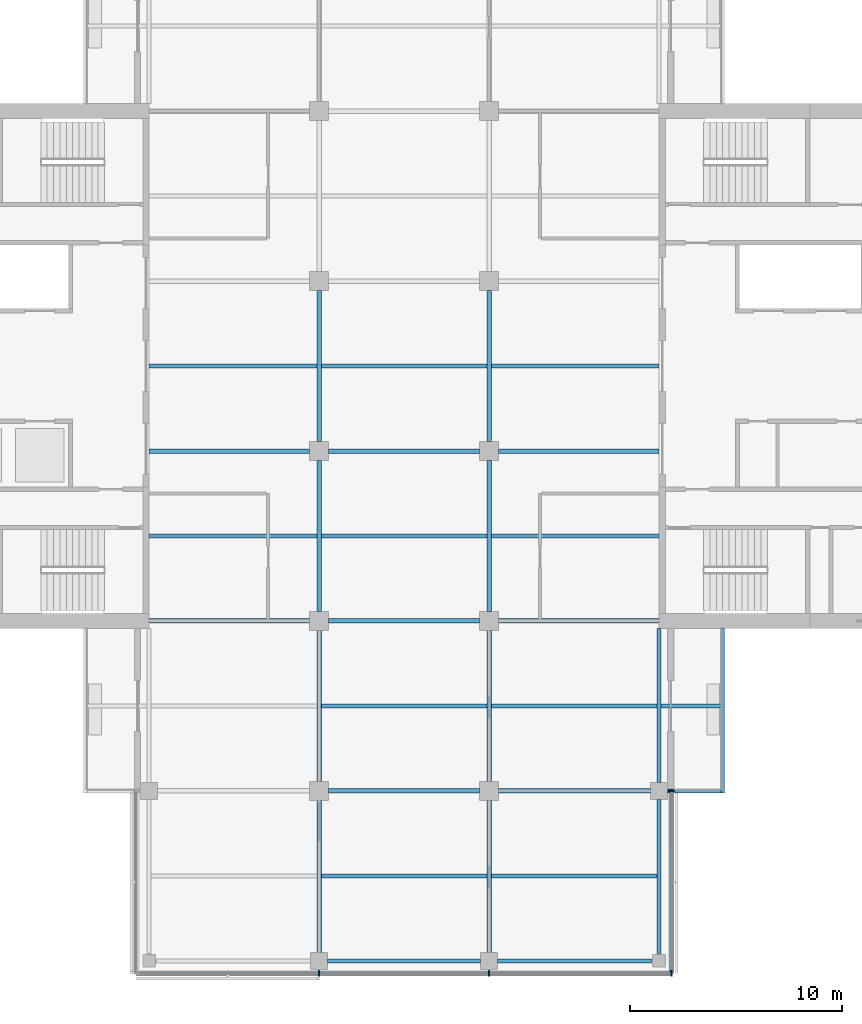
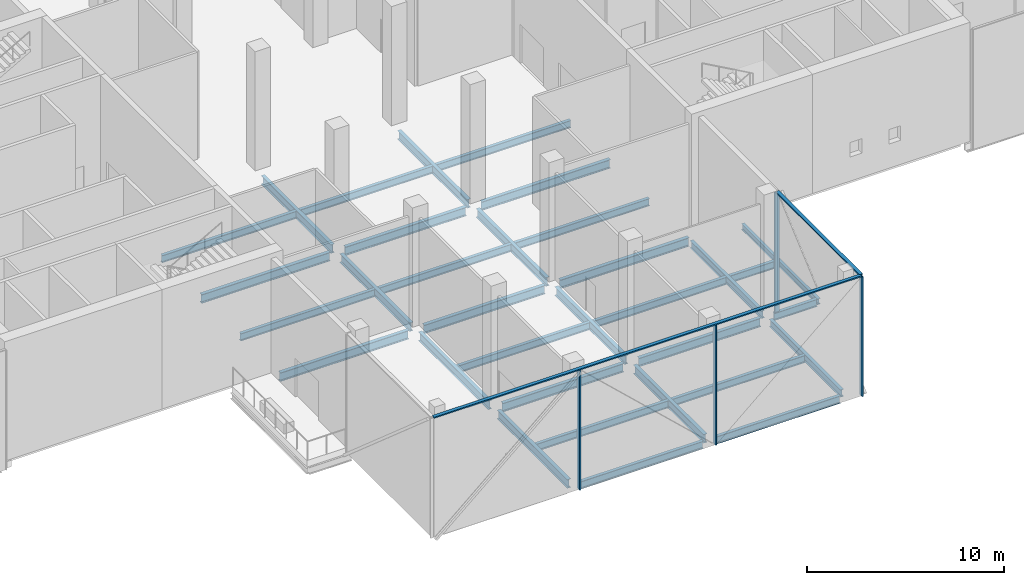
# One storey, part 4 of 20: 33 beams, 6 members, 2 elements without a shape of their own.
"""IFC4 building model written with IfcOpenShell, lengths in metres."""

from ifc_helpers import new_model, si_unit, direction, frame, origin, origin_2d, place, context, subcontext, project, spatial, rectangle, i_section, extrude, material, material_profile, profile_set, type_object, element, aggregate, save


model = new_model("IFC4")

# Units and contexts
model_context = context("Model", 3, precision=1e-05, world=origin(), true_north=direction((0.0, 1.0)))
body_context = subcontext(model_context, "Body", "Model", "MODEL_VIEW")
ifc_project = project(units=[si_unit("LENGTHUNIT", "METRE"), si_unit("AREAUNIT", "SQUARE_METRE"), si_unit("VOLUMEUNIT", "CUBIC_METRE"), si_unit("PLANEANGLEUNIT", "RADIAN"), si_unit("MASSUNIT", "GRAM", prefix="KILO")], contexts=[model_context])

# Site, building, storey
site_placement = place(None, origin())
site = spatial("IfcSite", under=ifc_project, at=site_placement, CompositionType="ELEMENT")
building_placement = place(site_placement, origin())
building = spatial("IfcBuilding", under=site, at=building_placement, Name="Crosswind Convention Tower", CompositionType="ELEMENT")
storey_placement = place(building_placement, frame((0.0, 0.0, 171.5)))
storey = spatial("IfcBuildingStorey", under=building, at=storey_placement, Name="L36", CompositionType="ELEMENT", Elevation=171.5)

# Beams
ifc_material_1 = material(Name="Steel S355", Category="steel")
ifc_material_profile_1 = material_profile(ifc_material_1, i_section(OverallWidth=0.18994140625, OverallDepth=0.45361328125, WebThickness=0.008544921875, FlangeThickness=0.0126953125, FilletRadius=0.01025390625, at=origin_2d()), Name="UB 457x191x67")
ifc_profile_set_1 = profile_set([ifc_material_profile_1], Name="Steel S355")
beam_type_1 = type_object("IfcBeamType", Name="Balcony cantilever UB 457x191x67", PredefinedType="BEAM", material=ifc_profile_set_1)
beam_1_placement = place(storey_placement, frame((137.095703125, 84.0, -0.626708984375), z_axis=(1.0, 0.0, 0.0), x_axis=(0.0, 1.0, 0.0)))
element("IfcBeam", 1, at=beam_1_placement, inside=storey, type_object=beam_type_1, Name="B36 L36 balcony cantilever SE 10", PredefinedType="BEAM", context=body_context, shape_type="SweptSolid", body=[
    extrude(i_section(OverallWidth=0.18994140625, OverallDepth=0.45361328125, WebThickness=0.008544921875, FlangeThickness=0.0126953125, FilletRadius=0.01025390625, at=origin_2d()), origin(), (0.0, 0.0, 1.0), 2.818603515625),
])
beam_2_placement = place(storey_placement, frame((137.39990234375, 80.0, -0.626708984375), z_axis=(1.0, 0.0, 0.0), x_axis=(0.0, 1.0, 0.0)))
element("IfcBeam", 2, at=beam_2_placement, inside=storey, type_object=beam_type_1, Name="B36 L36 balcony cantilever SE 11", PredefinedType="BEAM", context=body_context, shape_type="SweptSolid", body=[
    extrude(i_section(OverallWidth=0.18994140625, OverallDepth=0.45361328125, WebThickness=0.008544921875, FlangeThickness=0.0126953125, FilletRadius=0.01025390625, at=origin_2d()), origin(), (0.0, 0.0, 1.0), 2.514404296875),
])
ifc_material_profile_2 = material_profile(ifc_material_1, i_section(OverallWidth=0.17138671875, OverallDepth=0.355712890625, WebThickness=0.00732421875, FlangeThickness=0.011474609375, FilletRadius=0.01025390625, at=origin_2d()), Name="UB 356x171x51")
ifc_profile_set_2 = profile_set([ifc_material_profile_2], Name="Steel S355")
beam_type_2 = type_object("IfcBeamType", Name="Balcony edge beam UB 356x171x51", PredefinedType="BEAM", material=ifc_profile_set_2)
beam_3_placement = place(storey_placement, frame((140.0, 87.64990234375, -0.577880859375), z_axis=(0.0, -1.0, 0.0), x_axis=(1.0, 0.0, 0.0)))
element("IfcBeam", 3, at=beam_3_placement, inside=storey, type_object=beam_type_2, Name="B38 L36 balcony edge beam SE 12", PredefinedType="BEAM", context=body_context, shape_type="SweptSolid", body=[
    extrude(i_section(OverallWidth=0.17138671875, OverallDepth=0.355712890625, WebThickness=0.00732421875, FlangeThickness=0.011474609375, FilletRadius=0.01025390625, at=origin_2d()), origin(), (0.0, 0.0, 1.0), 7.744873046875),
])
ifc_material_profile_3 = material_profile(ifc_material_1, i_section(OverallWidth=0.19140625, OverallDepth=0.460205078125, WebThickness=0.010009765625, FlangeThickness=0.01611328125, FilletRadius=0.01025390625, at=origin_2d()), Name="UB 457x191x82")
ifc_profile_set_3 = profile_set([ifc_material_profile_3], Name="Steel S355")
beam_type_3 = type_object("IfcBeamType", Name="Edge beam UB 457x191x82", PredefinedType="SPANDREL", material=ifc_profile_set_3)
beam_4_placement = place(storey_placement, frame((121.39990234375, 72.0, -0.630126953125), z_axis=(1.0, 0.0, 0.0), x_axis=(0.0, 1.0, 0.0)))
element("IfcBeam", 4, at=beam_4_placement, inside=storey, type_object=beam_type_3, Name="B18 L36 edge beam 12", PredefinedType="SPANDREL", context=body_context, shape_type="SweptSolid", body=[
    extrude(i_section(OverallWidth=0.19140625, OverallDepth=0.460205078125, WebThickness=0.010009765625, FlangeThickness=0.01611328125, FilletRadius=0.01025390625, at=origin_2d()), origin(), (0.0, 0.0, 1.0), 7.2001953125),
])
for number, where, z_axis, x_axis, name in (
    (5, (129.39990234375, 72.0, -0.630126953125), (1.0, 0.0, 0.0), (0.0, 1.0, 0.0), "B18 L36 edge beam 14"),
    (6, (137.0, 72.35009765625, -0.630126953125), (0.0, 1.0, 0.0), (-1.0, 0.0, 0.0), "B18 L36 edge beam 16"),
    (7, (137.0, 80.39990234375, -0.630126953125), (0.0, 1.0, 0.0), (-1.0, 0.0, 0.0), "B18 L36 edge beam 17"),
):
    element("IfcBeam", number, at=place(storey_placement, frame(where, z_axis=z_axis, x_axis=x_axis)), inside=storey, type_object=beam_type_3, Name=name, PredefinedType="SPANDREL", context=body_context, shape_type="SweptSolid", body=[
        extrude(i_section(OverallWidth=0.19140625, OverallDepth=0.460205078125, WebThickness=0.010009765625, FlangeThickness=0.01611328125, FilletRadius=0.01025390625, at=origin_2d()), origin(), (0.0, 0.0, 1.0), 7.25),
    ])
ifc_material_profile_4 = material_profile(ifc_material_1, i_section(OverallWidth=0.210205078125, OverallDepth=0.53662109375, WebThickness=0.010986328125, FlangeThickness=0.017333984375, FilletRadius=0.0126953125, at=origin_2d()), Name="UB 533x210x101")
ifc_profile_set_4 = profile_set([ifc_material_profile_4], Name="Steel S355")
beam_type_4 = type_object("IfcBeamType", Name="Girder UB 533x210x101", PredefinedType="BEAM", material=ifc_profile_set_4)
beam_5_placement = place(storey_placement, frame((121.0, 72.39990234375, -0.66845703125), z_axis=(0.0, 1.0, 0.0), x_axis=(-1.0, 0.0, 0.0)))
element("IfcBeam", 8, at=beam_5_placement, inside=storey, type_object=beam_type_4, Name="B4 L36 girder 3", PredefinedType="BEAM", context=body_context, shape_type="SweptSolid", body=[
    extrude(i_section(OverallWidth=0.210205078125, OverallDepth=0.53662109375, WebThickness=0.010986328125, FlangeThickness=0.017333984375, FilletRadius=0.0126953125, at=origin_2d()), origin(), (0.0, 0.0, 1.0), 7.150146484375),
])
for number, where, z_axis, x_axis, name in (
    (9, (121.0, 80.449951171875, -0.66845703125), (0.0, 1.0, 0.0), (-1.0, 0.0, 0.0), "B4 L36 girder 4"),
    (10, (121.0, 88.449951171875, -0.66845703125), (0.0, 1.0, 0.0), (-1.0, 0.0, 0.0), "B4 L36 girder 5"),
    (11, (121.0, 96.449951171875, -0.66845703125), (0.0, 1.0, 0.0), (-1.0, 0.0, 0.0), "B4 L36 girder 6"),
    (12, (121.449951171875, 80.0, -0.66845703125), (1.0, 0.0, 0.0), (0.0, 1.0, 0.0), "B4 L36 girder 10"),
    (13, (121.449951171875, 88.0, -0.66845703125), (1.0, 0.0, 0.0), (0.0, 1.0, 0.0), "B4 L36 girder 11"),
    (14, (121.449951171875, 96.0, -0.66845703125), (1.0, 0.0, 0.0), (0.0, 1.0, 0.0), "B4 L36 girder 12"),
):
    element("IfcBeam", number, at=place(storey_placement, frame(where, z_axis=z_axis, x_axis=x_axis)), inside=storey, type_object=beam_type_4, Name=name, PredefinedType="BEAM", context=body_context, shape_type="SweptSolid", body=[
        extrude(i_section(OverallWidth=0.210205078125, OverallDepth=0.53662109375, WebThickness=0.010986328125, FlangeThickness=0.017333984375, FilletRadius=0.0126953125, at=origin_2d()), origin(), (0.0, 0.0, 1.0), 7.10009765625),
    ])
beam_6_placement = place(storey_placement, frame((129.0, 72.39990234375, -0.66845703125), z_axis=(0.0, 1.0, 0.0), x_axis=(-1.0, 0.0, 0.0)))
element("IfcBeam", 15, at=beam_6_placement, inside=storey, type_object=beam_type_4, Name="B4 L36 girder 16", PredefinedType="BEAM", context=body_context, shape_type="SweptSolid", body=[
    extrude(i_section(OverallWidth=0.210205078125, OverallDepth=0.53662109375, WebThickness=0.010986328125, FlangeThickness=0.017333984375, FilletRadius=0.0126953125, at=origin_2d()), origin(), (0.0, 0.0, 1.0), 7.150146484375),
])
for number, where, z_axis, x_axis, name in (
    (16, (129.0, 80.449951171875, -0.66845703125), (0.0, 1.0, 0.0), (-1.0, 0.0, 0.0), "B4 L36 girder 17"),
    (17, (129.0, 88.449951171875, -0.66845703125), (0.0, 1.0, 0.0), (-1.0, 0.0, 0.0), "B4 L36 girder 18"),
    (18, (129.0, 96.449951171875, -0.66845703125), (0.0, 1.0, 0.0), (-1.0, 0.0, 0.0), "B4 L36 girder 19"),
):
    element("IfcBeam", number, at=place(storey_placement, frame(where, z_axis=z_axis, x_axis=x_axis)), inside=storey, type_object=beam_type_4, Name=name, PredefinedType="BEAM", context=body_context, shape_type="SweptSolid", body=[
        extrude(i_section(OverallWidth=0.210205078125, OverallDepth=0.53662109375, WebThickness=0.010986328125, FlangeThickness=0.017333984375, FilletRadius=0.0126953125, at=origin_2d()), origin(), (0.0, 0.0, 1.0), 7.10009765625),
    ])
beam_7_placement = place(storey_placement, frame((129.449951171875, 80.0, -0.66845703125), z_axis=(1.0, 0.0, 0.0), x_axis=(0.0, 1.0, 0.0)))
element("IfcBeam", 19, at=beam_7_placement, inside=storey, type_object=beam_type_4, Name="B4 L36 girder 23", PredefinedType="BEAM", context=body_context, shape_type="SweptSolid", body=[
    extrude(i_section(OverallWidth=0.210205078125, OverallDepth=0.53662109375, WebThickness=0.010986328125, FlangeThickness=0.017333984375, FilletRadius=0.0126953125, at=origin_2d()), origin(), (0.0, 0.0, 1.0), 7.150146484375),
])
ifc_material_profile_5 = material_profile(ifc_material_1, i_section(OverallWidth=0.210693359375, OverallDepth=0.53955078125, WebThickness=0.01171875, FlangeThickness=0.018798828125, FilletRadius=0.0126953125, at=origin_2d()), Name="UB 533x210x109")
ifc_profile_set_5 = profile_set([ifc_material_profile_5], Name="Steel S355")
beam_type_5 = type_object("IfcBeamType", Name="Girder at core wall UB 533x210x109", PredefinedType="BEAM", material=ifc_profile_set_5)
for number, where, z_axis, x_axis, name in (
    (20, (113.0, 88.0, -0.669677734375), (1.0, 0.0, 0.0), (0.0, 1.0, 0.0), "B25 L36 girder at core wall 3"),
    (21, (113.0, 96.0, -0.669677734375), (1.0, 0.0, 0.0), (0.0, 1.0, 0.0), "B25 L36 girder at core wall 4"),
    (22, (129.449951171875, 88.0, -0.669677734375), (1.0, 0.0, 0.0), (0.0, 1.0, 0.0), "B25 L36 girder at core wall 7"),
    (23, (129.449951171875, 96.0, -0.669677734375), (1.0, 0.0, 0.0), (0.0, 1.0, 0.0), "B25 L36 girder at core wall 8"),
):
    element("IfcBeam", number, at=place(storey_placement, frame(where, z_axis=z_axis, x_axis=x_axis)), inside=storey, type_object=beam_type_5, Name=name, PredefinedType="BEAM", context=body_context, shape_type="SweptSolid", body=[
        extrude(i_section(OverallWidth=0.210693359375, OverallDepth=0.53955078125, WebThickness=0.01171875, FlangeThickness=0.018798828125, FilletRadius=0.0126953125, at=origin_2d()), origin(), (0.0, 0.0, 1.0), 7.550048828125),
    ])

# Curtain wall, members
ifc_material_2 = material(Name="Aluminium unitised curtain wall", Category="aluminium")
curtain_wall_type = type_object("IfcCurtainWallType", Name="SKY LOBBY AND LOUNGE WALL 280", PredefinedType="USERDEFINED", material=ifc_material_2)
curtain_wall_1_placement = place(storey_placement, origin())
curtain_wall_1 = element("IfcCurtainWall", 24, at=curtain_wall_1_placement, inside=storey, type_object=curtain_wall_type, Name="CW4 L36 S-TIP 1", ObjectType="UNITISED", PredefinedType="USERDEFINED")
ifc_material_3 = material(Name="Aluminium mullion", Category="aluminium")
ifc_material_profile_6 = material_profile(ifc_material_3, rectangle(XDim=0.280029296875, YDim=0.074951171875, at=origin_2d()), Name="AL 280X75")
ifc_profile_set_6 = profile_set([ifc_material_profile_6], Name="Aluminium mullion")
member_type_1 = type_object("IfcMemberType", Name="MULLION 75X280", PredefinedType="MULLION", material=ifc_profile_set_6)
member_1_placement = place(storey_placement, frame((121.0, 71.409912109375, -0.39990234375), z_axis=(0.0, 0.0, 1.0), x_axis=(0.0, -1.0, 0.0)))
member_1 = element("IfcMember", 25, at=member_1_placement, type_object=member_type_1, Name="CW4 mullion 2", PredefinedType="MULLION", context=body_context, shape_type="SweptSolid", body=[
    extrude(rectangle(XDim=0.280029296875, YDim=0.074951171875, at=origin_2d()), origin(), (0.0, 0.0, 1.0), 7.4248046875),
])
member_2_placement = place(storey_placement, frame((129.0, 71.409912109375, -0.39990234375), z_axis=(0.0, 0.0, 1.0), x_axis=(0.0, -1.0, 0.0)))
member_2 = element("IfcMember", 26, at=member_2_placement, type_object=member_type_1, Name="CW4 mullion 3", PredefinedType="MULLION", context=body_context, shape_type="SweptSolid", body=[
    extrude(rectangle(XDim=0.280029296875, YDim=0.074951171875, at=origin_2d()), origin(), (0.0, 0.0, 1.0), 7.4248046875),
])
member_3_placement = place(storey_placement, frame((137.590087890625, 71.409912109375, -0.39990234375), z_axis=(0.0, 0.0, 1.0), x_axis=(0.0, -1.0, 0.0)))
member_3 = element("IfcMember", 27, at=member_3_placement, type_object=member_type_1, Name="CW4 mullion 4", PredefinedType="MULLION", context=body_context, shape_type="SweptSolid", body=[
    extrude(rectangle(XDim=0.280029296875, YDim=0.074951171875, at=origin_2d()), origin(), (0.0, 0.0, 1.0), 7.4248046875),
])

# Curtain wall, member
curtain_wall_2_placement = place(storey_placement, origin())
curtain_wall_2 = element("IfcCurtainWall", 28, at=curtain_wall_2_placement, inside=storey, type_object=curtain_wall_type, Name="CW4 L36 S-E 1", ObjectType="UNITISED", PredefinedType="USERDEFINED")
member_4_placement = place(storey_placement, frame((137.590087890625, 80.0, -0.39990234375), z_axis=(0.0, 0.0, 1.0), x_axis=(1.0, 0.0, 0.0)))
member_4 = element("IfcMember", 29, at=member_4_placement, type_object=member_type_1, Name="CW4 mullion 2", PredefinedType="MULLION", context=body_context, shape_type="SweptSolid", body=[
    extrude(rectangle(XDim=0.280029296875, YDim=0.074951171875, at=origin_2d()), origin(), (0.0, 0.0, 1.0), 7.4248046875),
])

# Beams
ifc_material_profile_7 = material_profile(ifc_material_1, i_section(OverallWidth=0.18994140625, OverallDepth=0.45361328125, WebThickness=0.008544921875, FlangeThickness=0.0126953125, FilletRadius=0.01025390625, at=origin_2d()), Name="UB 457x191x67")
ifc_profile_set_7 = profile_set([ifc_material_profile_7], Name="Steel S355")
beam_type_6 = type_object("IfcBeamType", Name="Secondary beam UB 457x191x67", PredefinedType="JOIST", material=ifc_profile_set_7)
for number, where, z_axis, x_axis, name in (
    (30, (113.0, 92.0, -0.626708984375), (1.0, 0.0, 0.0), (0.0, 1.0, 0.0), "B11 L36 secondary beam 4"),
    (31, (113.0, 100.0, -0.626708984375), (1.0, 0.0, 0.0), (0.0, 1.0, 0.0), "B11 L36 secondary beam 5"),
):
    element("IfcBeam", number, at=place(storey_placement, frame(where, z_axis=z_axis, x_axis=x_axis)), inside=storey, type_object=beam_type_6, Name=name, PredefinedType="JOIST", context=body_context, shape_type="SweptSolid", body=[
        extrude(i_section(OverallWidth=0.18994140625, OverallDepth=0.45361328125, WebThickness=0.008544921875, FlangeThickness=0.0126953125, FilletRadius=0.01025390625, at=origin_2d()), origin(), (0.0, 0.0, 1.0), 7.89501953125),
    ])
for number, where, z_axis, x_axis, name in (
    (32, (121.10498046875, 76.0, -0.626708984375), (1.0, 0.0, 0.0), (0.0, 1.0, 0.0), "B11 L36 secondary beam 11"),
    (33, (121.10498046875, 84.0, -0.626708984375), (1.0, 0.0, 0.0), (0.0, 1.0, 0.0), "B11 L36 secondary beam 12"),
    (34, (121.10498046875, 92.0, -0.626708984375), (1.0, 0.0, 0.0), (0.0, 1.0, 0.0), "B11 L36 secondary beam 13"),
    (35, (121.10498046875, 100.0, -0.626708984375), (1.0, 0.0, 0.0), (0.0, 1.0, 0.0), "B11 L36 secondary beam 14"),
):
    element("IfcBeam", number, at=place(storey_placement, frame(where, z_axis=z_axis, x_axis=x_axis)), inside=storey, type_object=beam_type_6, Name=name, PredefinedType="JOIST", context=body_context, shape_type="SweptSolid", body=[
        extrude(i_section(OverallWidth=0.18994140625, OverallDepth=0.45361328125, WebThickness=0.008544921875, FlangeThickness=0.0126953125, FilletRadius=0.01025390625, at=origin_2d()), origin(), (0.0, 0.0, 1.0), 7.7900390625),
    ])
for number, where, z_axis, x_axis, name in (
    (36, (129.10498046875, 76.0, -0.626708984375), (1.0, 0.0, 0.0), (0.0, 1.0, 0.0), "B11 L36 secondary beam 18"),
    (37, (129.10498046875, 84.0, -0.626708984375), (1.0, 0.0, 0.0), (0.0, 1.0, 0.0), "B11 L36 secondary beam 19"),
):
    element("IfcBeam", number, at=place(storey_placement, frame(where, z_axis=z_axis, x_axis=x_axis)), inside=storey, type_object=beam_type_6, Name=name, PredefinedType="JOIST", context=body_context, shape_type="SweptSolid", body=[
        extrude(i_section(OverallWidth=0.18994140625, OverallDepth=0.45361328125, WebThickness=0.008544921875, FlangeThickness=0.0126953125, FilletRadius=0.01025390625, at=origin_2d()), origin(), (0.0, 0.0, 1.0), 7.79931640625),
    ])
for number, where, z_axis, x_axis, name in (
    (38, (129.10498046875, 92.0, -0.626708984375), (1.0, 0.0, 0.0), (0.0, 1.0, 0.0), "B11 L36 secondary beam 20"),
    (39, (129.10498046875, 100.0, -0.626708984375), (1.0, 0.0, 0.0), (0.0, 1.0, 0.0), "B11 L36 secondary beam 21"),
):
    element("IfcBeam", number, at=place(storey_placement, frame(where, z_axis=z_axis, x_axis=x_axis)), inside=storey, type_object=beam_type_6, Name=name, PredefinedType="JOIST", context=body_context, shape_type="SweptSolid", body=[
        extrude(i_section(OverallWidth=0.18994140625, OverallDepth=0.45361328125, WebThickness=0.008544921875, FlangeThickness=0.0126953125, FilletRadius=0.01025390625, at=origin_2d()), origin(), (0.0, 0.0, 1.0), 7.89501953125),
    ])

# Member
ifc_material_4 = material(Name="Aluminium transom", Category="aluminium")
ifc_material_profile_8 = material_profile(ifc_material_4, rectangle(XDim=0.199951171875, YDim=0.074951171875, at=origin_2d()), Name="AL 200X75")
ifc_profile_set_8 = profile_set([ifc_material_profile_8], Name="Aluminium transom")
member_type_2 = type_object("IfcMemberType", Name="TRANSOM 75X200", PredefinedType="USERDEFINED", material=ifc_profile_set_8)
member_5_placement = place(storey_placement, frame((112.447509765625, 71.409912109375, 7.0625), z_axis=(1.0, 0.0, 0.0), x_axis=(0.0, 1.0, 0.0)))
member_5 = element("IfcMember", 40, at=member_5_placement, type_object=member_type_2, Name="CW4 transom", ObjectType="TRANSOM", PredefinedType="USERDEFINED", context=body_context, shape_type="SweptSolid", body=[
    extrude(rectangle(XDim=0.199951171875, YDim=0.074951171875, at=origin_2d()), origin(), (0.0, 0.0, 1.0), 25.10498046875),
])

aggregate(curtain_wall_1, [member_1, member_2, member_3, member_5])

member_6_placement = place(storey_placement, frame((137.590087890625, 71.447509765625, 7.0625), z_axis=(0.0, 1.0, 0.0), x_axis=(-1.0, 0.0, 0.0)))
member_6 = element("IfcMember", 41, at=member_6_placement, type_object=member_type_2, Name="CW4 transom", ObjectType="TRANSOM", PredefinedType="USERDEFINED", context=body_context, shape_type="SweptSolid", body=[
    extrude(rectangle(XDim=0.199951171875, YDim=0.074951171875, at=origin_2d()), origin(), (0.0, 0.0, 1.0), 8.514892578125),
])

aggregate(curtain_wall_2, [member_4, member_6])

save(model, "model.ifc")
